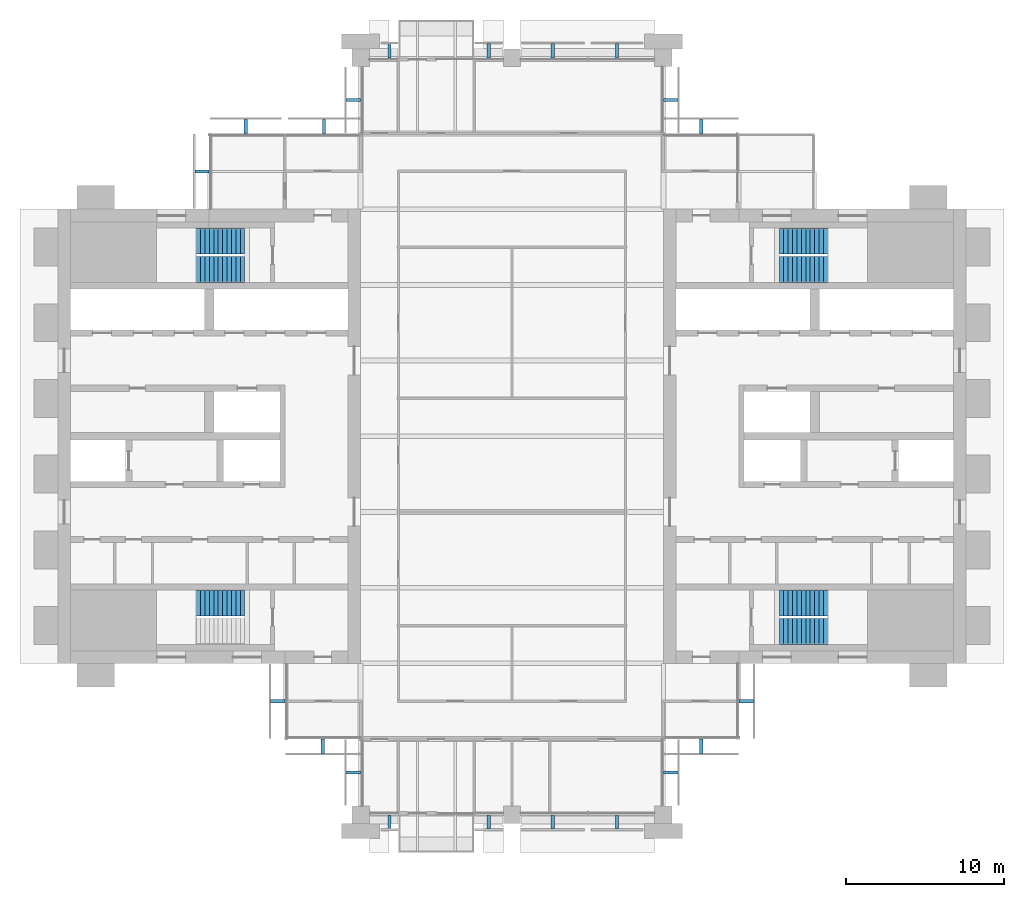
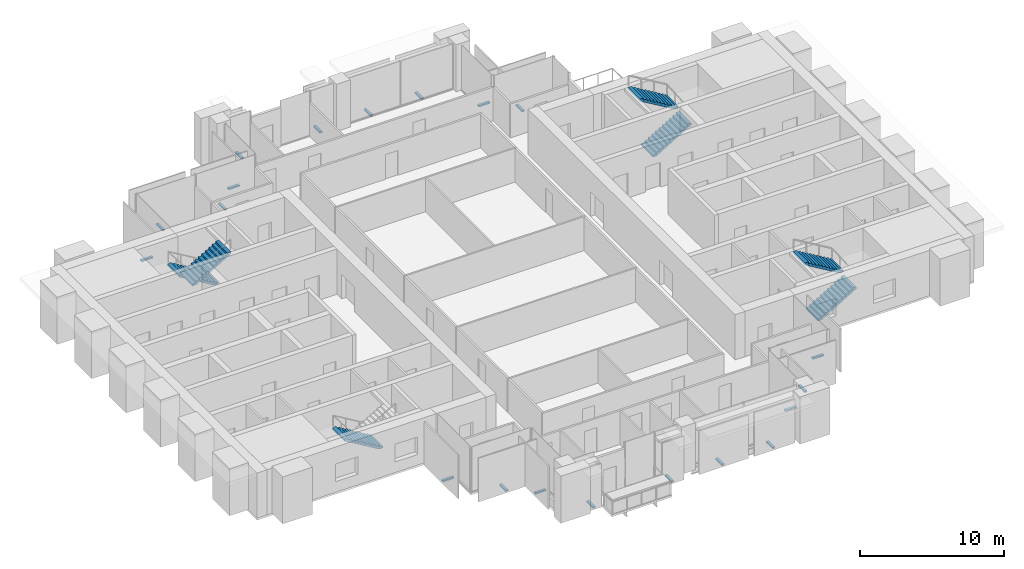
# One storey, part 12 of 14: 20 discrete accessories, 7 stair flights, 4 elements without a shape of their own.
"""IFC4 building model written with IfcOpenShell, lengths in metres."""

import ifcopenshell
import ifcopenshell.guid

model = None  # the IFC model being written
_history = None  # IfcOwnerHistory: only IFC2X3 demands one
_inside = {}  # id of a spatial element -> (the spatial element, [elements in it])
_under = {}  # id of a project, library or spatial element -> (it, [spatial elements below it])
_declared = {}  # id of a project -> (the project, [libraries it declares])
_typed = {}  # id of a type object -> (the type object, [elements of that type])
_made_of = {}  # id of a material, layer set ... -> (it, [elements and type objects made of it])


def new_model(schema):
    """Start an empty IFC model of exactly this schema.

    Asked for "IFC4X3", IfcOpenShell would pick the latest addendum, in which some entities
    have other attributes; the version numbers below select the first issue.
    IFC2X3 requires an IfcOwnerHistory on every rooted entity: one is made here for all.
    """
    global model, _history
    if schema == "IFC4X3":
        model = ifcopenshell.file(schema_version=(4, 3, 0, 0))
    else:
        model = ifcopenshell.file(schema=schema)
    _inside.clear()
    _under.clear()
    _declared.clear()
    _typed.clear()
    _made_of.clear()
    _history = None
    if model.schema == "IFC2X3":
        org = make("IfcOrganization", Name="unknown")
        user = make(
            "IfcPersonAndOrganization",
            ThePerson=make("IfcPerson", FamilyName="unknown"),
            TheOrganization=org,
        )
        app = make(
            "IfcApplication",
            ApplicationDeveloper=org,
            Version="unknown",
            ApplicationFullName="unknown",
            ApplicationIdentifier="unknown",
        )
        _history = make(
            "IfcOwnerHistory",
            OwningUser=user,
            OwningApplication=app,
            ChangeAction="ADDED",
            CreationDate=0,
        )
    return model


def make(cls, **values):
    """One entity of the class cls with the attributes given. An attribute that is None is left unset."""
    return model.create_entity(
        cls, **{name: value for name, value in values.items() if value is not None}
    )


def rooted(cls, **values):
    """An entity with a GlobalId (a new one), such as an element, a storey or a relation."""
    return make(cls, GlobalId=ifcopenshell.guid.new(), OwnerHistory=_history, **values)


def si_unit(unit_type, name, prefix=None):
    """IfcSIUnit, for example si_unit("LENGTHUNIT", "METRE", prefix="MILLI")."""
    return make("IfcSIUnit", UnitType=unit_type, Prefix=prefix, Name=name)


def assignment(units):
    """IfcUnitAssignment: the units of a project."""
    return None if units is None else make("IfcUnitAssignment", Units=units)


def point(xyz):
    """IfcCartesianPoint."""
    return None if xyz is None else make("IfcCartesianPoint", Coordinates=xyz)


def direction(xyz):
    """IfcDirection."""
    return None if xyz is None else make("IfcDirection", DirectionRatios=xyz)


def frame(location, z_axis=None, x_axis=None):
    """IfcAxis2Placement3D, a coordinate frame: its origin and axes. An axis left out is left unset."""
    return make(
        "IfcAxis2Placement3D",
        Location=point(location),
        Axis=direction(z_axis),
        RefDirection=direction(x_axis),
    )


def frame_2d(location, x_axis=None):
    """IfcAxis2Placement2D, a coordinate frame in the plane: its origin and x axis."""
    return make(
        "IfcAxis2Placement2D", Location=point(location), RefDirection=direction(x_axis)
    )


def origin():
    """The frame at (0, 0, 0) with its axes left unset."""
    return frame((0.0, 0.0, 0.0))


def origin_2d():
    """The frame at (0, 0) in the plane with its x axis left unset."""
    return frame_2d((0.0, 0.0))


def place(relative_to, where):
    """IfcLocalPlacement: puts the frame where relative to a parent placement (None: the world)."""
    return make(
        "IfcLocalPlacement", PlacementRelTo=relative_to, RelativePlacement=where
    )


def context(
    kind, dimensions, precision=None, world=None, true_north=None, identifier=None
):
    """IfcGeometricRepresentationContext, for example the 3D "Model" context."""
    return make(
        "IfcGeometricRepresentationContext",
        ContextIdentifier=identifier,
        ContextType=kind,
        CoordinateSpaceDimension=dimensions,
        Precision=precision,
        WorldCoordinateSystem=world,
        TrueNorth=true_north,
    )


def subcontext(parent, identifier, kind, view, scale=None):
    """IfcGeometricRepresentationSubContext, for example "Body" below "Model"."""
    return make(
        "IfcGeometricRepresentationSubContext",
        ContextIdentifier=identifier,
        ContextType=kind,
        ParentContext=parent,
        TargetScale=scale,
        TargetView=view,
    )


def project(units=None, contexts=None):
    """IfcProject with its units and contexts."""
    return rooted(
        "IfcProject",
        Name="project",
        RepresentationContexts=contexts,
        UnitsInContext=assignment(units),
    )


def spatial(cls, under=None, at=None, **own):
    """A site, building, storey or space (cls), placed at a placement, below another one or the project."""
    s = rooted(cls, ObjectPlacement=at, **own)
    if under is not None:
        _under.setdefault(under.id(), (under, []))[1].append(s)
    return s


def polyline(points):
    """IfcPolyline through the points."""
    return make("IfcPolyline", Points=[point(p) for p in points])


def profile(cls, at=None, kind="AREA", **sizes):
    """A parametric profile (cls). Its sizes go by their IFC names, for example OverallWidth=200.0."""
    return make(cls, ProfileType=kind, Position=at, **sizes)


def rectangle(**sizes):
    """IfcRectangleProfileDef."""
    return profile("IfcRectangleProfileDef", **sizes)


def outline(outer, holes=None, kind="AREA"):
    """IfcArbitraryClosedProfileDef: a profile drawn as a closed curve; with holes, ...WithVoids."""
    if holes is None:
        return make("IfcArbitraryClosedProfileDef", ProfileType=kind, OuterCurve=outer)
    return make(
        "IfcArbitraryProfileDefWithVoids",
        ProfileType=kind,
        OuterCurve=outer,
        InnerCurves=holes,
    )


def extrude(swept, where, along, depth):
    """IfcExtrudedAreaSolid: the profile swept, set in the frame where, extruded along a direction by depth."""
    return make(
        "IfcExtrudedAreaSolid",
        SweptArea=swept,
        Position=where,
        ExtrudedDirection=direction(along),
        Depth=depth,
    )


def shape(context_of_items, identifier, shape_type, items):
    """IfcShapeRepresentation: the items that make up one representation, for example the "Body"."""
    return make(
        "IfcShapeRepresentation",
        ContextOfItems=context_of_items,
        RepresentationIdentifier=identifier,
        RepresentationType=shape_type,
        Items=items,
    )


def material(Name=None, Category=None):
    """IfcMaterial."""
    return make("IfcMaterial", Name=Name, Category=Category)


def made_of(thing, what):
    """Note that an element or type object is made of a material, layer set ...; save() writes the relation."""
    if what is not None:
        _made_of.setdefault(what.id(), (what, []))[1].append(thing)
    return thing


def type_object(cls, material=None, **own):
    """A type object (cls), such as IfcWallType, which elements share."""
    return made_of(rooted(cls, **own), material)


def element(
    cls,
    number,
    at=None,
    inside=None,
    cuts=None,
    type_object=None,
    material=None,
    context=None,
    identifier="Body",
    shape_type=None,
    held_by="IfcProductDefinitionShape",
    body=None,
    shapes=None,
    **own,
):
    """One element of the class cls, such as IfcWall. Its Tag is "e" and its number.

    at: its placement. inside: the storey or other place that contains it. cuts: it is an
    opening in that element (IfcRelVoidsElement). A single representation is given by context,
    identifier, shape_type and body (its items); several are given by shapes. held_by: the class
    of the entity that holds the representations. save() writes the other relations.
    """
    e = rooted(cls, Tag="e%d" % number, ObjectPlacement=at, **own)
    if body is not None:
        shapes = [shape(context, identifier, shape_type, body)]
    if shapes is not None:
        e.Representation = make(held_by, Representations=shapes)
    if inside is not None:
        _inside.setdefault(inside.id(), (inside, []))[1].append(e)
    if cuts is not None:
        rooted(
            "IfcRelVoidsElement", RelatingBuildingElement=cuts, RelatedOpeningElement=e
        )
    if type_object is not None:
        _typed.setdefault(type_object.id(), (type_object, []))[1].append(e)
    return made_of(e, material)


def aggregate(whole, parts):
    """IfcRelAggregates: a whole, such as a stair, and the parts it consists of."""
    return rooted("IfcRelAggregates", RelatingObject=whole, RelatedObjects=parts)


def save(model, path):
    """Write the relations noted so far, then the file.

    IfcRelAggregates (storeys below a building ...), IfcRelContainedInSpatialStructure (elements
    in a storey), IfcRelDefinesByType, IfcRelAssociatesMaterial and IfcRelDeclares: one each for
    every whole, place, type object, material and project.
    """
    for whole, parts in _under.values():
        aggregate(whole, parts)
    for where, things in _inside.values():
        rooted(
            "IfcRelContainedInSpatialStructure",
            RelatedElements=things,
            RelatingStructure=where,
        )
    for kind, things in _typed.values():
        rooted("IfcRelDefinesByType", RelatedObjects=things, RelatingType=kind)
    for what, things in _made_of.values():
        rooted("IfcRelAssociatesMaterial", RelatedObjects=things, RelatingMaterial=what)
    for by, libraries in _declared.values():
        rooted("IfcRelDeclares", RelatingContext=by, RelatedDefinitions=libraries)
    model.write(path)


model = new_model("IFC4")

# Units and contexts
model_context = context("Model", 3, precision=1e-05, world=origin(), true_north=direction((0.0, 1.0)))
body_context = subcontext(model_context, "Body", "Model", "MODEL_VIEW")
ifc_project = project(units=[si_unit("LENGTHUNIT", "METRE"), si_unit("AREAUNIT", "SQUARE_METRE"), si_unit("VOLUMEUNIT", "CUBIC_METRE"), si_unit("PLANEANGLEUNIT", "RADIAN"), si_unit("MASSUNIT", "GRAM", prefix="KILO")], contexts=[model_context])

# Site, building, storey
site_placement = place(None, origin())
site = spatial("IfcSite", under=ifc_project, at=site_placement, CompositionType="ELEMENT")
building_placement = place(site_placement, origin())
building = spatial("IfcBuilding", under=site, at=building_placement, Name="Baori Bourse Tower", CompositionType="ELEMENT")
storey_placement = place(building_placement, frame((0.0, 0.0, 257.199951171875)))
storey = spatial("IfcBuildingStorey", under=building, at=storey_placement, Name="L57", CompositionType="ELEMENT", Elevation=257.199951171875)

# Stair, stair flight
ifc_material_1 = material(Name="Concrete f'c 50 MPa", Category="concrete")
stair_type = type_object("IfcStairType", Name="Core stair", PredefinedType="HALF_TURN_STAIR", material=ifc_material_1)
stair_1_placement = place(storey_placement, origin())
stair_1 = element("IfcStair", 1, at=stair_1_placement, inside=storey, type_object=stair_type, Name="L57 Stair WA", PredefinedType="HALF_TURN_STAIR")
ifc_material_2 = material(Name="Concrete f'c 50 MPa", Category="concrete")
stair_flight_type = type_object("IfcStairFlightType", Name="Core stair flight", PredefinedType="STRAIGHT", material=ifc_material_2)
stair_flight_1_placement = place(storey_placement, frame((11.85009765625, 13.425048828125, 0.0), z_axis=(0.0, 0.0, 1.0), x_axis=(-1.0, 0.0, 0.0)))
stair_flight_1 = element("IfcStairFlight", 2, at=stair_flight_1_placement, type_object=stair_flight_type, Name="ST1 flight 1", NumberOfRisers=12, NumberOfTreads=11, PredefinedType="STRAIGHT", RiserHeight=0.166666667, TreadLength=0.28, context=body_context, shape_type="SweptSolid", body=[
    extrude(outline(polyline([(0.0, 0.0), (0.0, 0.166748046875), (0.280029296875, 0.166748046875), (0.280029296875, 0.333251953125), (0.56005859375, 0.333251953125), (0.56005859375, 0.5), (0.840087890625, 0.5), (0.840087890625, 0.666748046875), (1.1201171875, 0.666748046875), (1.1201171875, 0.833251953125), (1.39990234375, 0.833251953125), (1.39990234375, 1.0), (1.679931640625, 1.0), (1.679931640625, 1.166748046875), (1.9599609375, 1.166748046875), (1.9599609375, 1.333251953125), (2.239990234375, 1.333251953125), (2.239990234375, 1.5), (2.52001953125, 1.5), (2.52001953125, 1.666748046875), (2.800048828125, 1.666748046875), (2.800048828125, 1.833251953125), (3.080078125, 1.833251953125), (3.080078125, 2.0), (3.080078125, 1.658935546875), (0.29296875, 0.0), (0.0, 0.0)])), frame((0.0, 0.824951171875, 0.0), z_axis=(0.0, -1.0, 0.0), x_axis=(1.0, 0.0, 0.0)), (0.0, 0.0, 1.0), 1.64990234375),
])
aggregate(stair_1, [stair_flight_1])

# Stair, stair flights
stair_2_placement = place(storey_placement, origin())
stair_2 = element("IfcStair", 3, at=stair_2_placement, inside=storey, type_object=stair_type, Name="L57 Stair WB", PredefinedType="HALF_TURN_STAIR")
stair_flight_2_placement = place(storey_placement, frame((11.85009765625, 36.375, 0.0), z_axis=(0.0, 0.0, 1.0), x_axis=(-1.0, 0.0, 0.0)))
stair_flight_2 = element("IfcStairFlight", 4, at=stair_flight_2_placement, type_object=stair_flight_type, Name="ST2 flight 1", NumberOfRisers=12, NumberOfTreads=11, PredefinedType="STRAIGHT", RiserHeight=0.166666667, TreadLength=0.28, context=body_context, shape_type="SweptSolid", body=[
    extrude(outline(polyline([(0.0, 0.0), (0.0, 0.166748046875), (0.280029296875, 0.166748046875), (0.280029296875, 0.333251953125), (0.56005859375, 0.333251953125), (0.56005859375, 0.5), (0.840087890625, 0.5), (0.840087890625, 0.666748046875), (1.1201171875, 0.666748046875), (1.1201171875, 0.833251953125), (1.39990234375, 0.833251953125), (1.39990234375, 1.0), (1.679931640625, 1.0), (1.679931640625, 1.166748046875), (1.9599609375, 1.166748046875), (1.9599609375, 1.333251953125), (2.239990234375, 1.333251953125), (2.239990234375, 1.5), (2.52001953125, 1.5), (2.52001953125, 1.666748046875), (2.800048828125, 1.666748046875), (2.800048828125, 1.833251953125), (3.080078125, 1.833251953125), (3.080078125, 2.0), (3.080078125, 1.658935546875), (0.29296875, 0.0), (0.0, 0.0)])), frame((0.0, 0.824951171875, 0.0), z_axis=(0.0, -1.0, 0.0), x_axis=(1.0, 0.0, 0.0)), (0.0, 0.0, 1.0), 1.64990234375),
])
stair_flight_3_placement = place(storey_placement, frame((8.77001953125, 34.574951171875, 2.0), z_axis=(0.0, 0.0, 1.0), x_axis=(1.0, 0.0, 0.0)))
stair_flight_3 = element("IfcStairFlight", 5, at=stair_flight_3_placement, type_object=stair_flight_type, Name="ST2 flight 2", NumberOfRisers=12, NumberOfTreads=11, PredefinedType="STRAIGHT", RiserHeight=0.166666667, TreadLength=0.28, context=body_context, shape_type="SweptSolid", body=[
    extrude(outline(polyline([(0.0, 0.0), (0.0, 0.166748046875), (0.280029296875, 0.166748046875), (0.280029296875, 0.333251953125), (0.56005859375, 0.333251953125), (0.56005859375, 0.5), (0.840087890625, 0.5), (0.840087890625, 0.666748046875), (1.1201171875, 0.666748046875), (1.1201171875, 0.833251953125), (1.39990234375, 0.833251953125), (1.39990234375, 1.0), (1.679931640625, 1.0), (1.679931640625, 1.166748046875), (1.9599609375, 1.166748046875), (1.9599609375, 1.333251953125), (2.239990234375, 1.333251953125), (2.239990234375, 1.5), (2.52001953125, 1.5), (2.52001953125, 1.666748046875), (2.800048828125, 1.666748046875), (2.800048828125, 1.833251953125), (3.080078125, 1.833251953125), (3.080078125, 2.0), (3.080078125, 1.658935546875), (0.29296875, 0.0), (0.0, 0.0)])), frame((0.0, 0.824951171875, 0.0), z_axis=(0.0, -1.0, 0.0), x_axis=(1.0, 0.0, 0.0)), (0.0, 0.0, 1.0), 1.64990234375),
])
aggregate(stair_2, [stair_flight_2, stair_flight_3])

stair_3_placement = place(storey_placement, origin())
stair_3 = element("IfcStair", 6, at=stair_3_placement, inside=storey, type_object=stair_type, Name="L57 Stair EA", PredefinedType="HALF_TURN_STAIR")
stair_flight_4_placement = place(storey_placement, frame((45.75, 11.625, 0.0), z_axis=(0.0, 0.0, 1.0), x_axis=(1.0, 0.0, 0.0)))
stair_flight_4 = element("IfcStairFlight", 7, at=stair_flight_4_placement, type_object=stair_flight_type, Name="ST3 flight 1", NumberOfRisers=12, NumberOfTreads=11, PredefinedType="STRAIGHT", RiserHeight=0.166666667, TreadLength=0.28, context=body_context, shape_type="SweptSolid", body=[
    extrude(outline(polyline([(0.0, 0.0), (0.0, 0.166748046875), (0.280029296875, 0.166748046875), (0.280029296875, 0.333251953125), (0.56005859375, 0.333251953125), (0.56005859375, 0.5), (0.840087890625, 0.5), (0.840087890625, 0.666748046875), (1.1201171875, 0.666748046875), (1.1201171875, 0.833251953125), (1.39990234375, 0.833251953125), (1.39990234375, 1.0), (1.679931640625, 1.0), (1.679931640625, 1.166748046875), (1.9599609375, 1.166748046875), (1.9599609375, 1.333251953125), (2.239990234375, 1.333251953125), (2.239990234375, 1.5), (2.52001953125, 1.5), (2.52001953125, 1.666748046875), (2.800048828125, 1.666748046875), (2.800048828125, 1.833251953125), (3.080078125, 1.833251953125), (3.080078125, 2.0), (3.080078125, 1.658935546875), (0.29296875, 0.0), (0.0, 0.0)])), frame((0.0, 0.824951171875, 0.0), z_axis=(0.0, -1.0, 0.0), x_axis=(1.0, 0.0, 0.0)), (0.0, 0.0, 1.0), 1.64990234375),
])
stair_flight_5_placement = place(storey_placement, frame((48.830078125, 13.425048828125, 2.0), z_axis=(0.0, 0.0, 1.0), x_axis=(-1.0, 0.0, 0.0)))
stair_flight_5 = element("IfcStairFlight", 8, at=stair_flight_5_placement, type_object=stair_flight_type, Name="ST3 flight 2", NumberOfRisers=12, NumberOfTreads=11, PredefinedType="STRAIGHT", RiserHeight=0.166666667, TreadLength=0.28, context=body_context, shape_type="SweptSolid", body=[
    extrude(outline(polyline([(0.0, 0.0), (0.0, 0.166748046875), (0.280029296875, 0.166748046875), (0.280029296875, 0.333251953125), (0.56005859375, 0.333251953125), (0.56005859375, 0.5), (0.840087890625, 0.5), (0.840087890625, 0.666748046875), (1.1201171875, 0.666748046875), (1.1201171875, 0.833251953125), (1.39990234375, 0.833251953125), (1.39990234375, 1.0), (1.679931640625, 1.0), (1.679931640625, 1.166748046875), (1.9599609375, 1.166748046875), (1.9599609375, 1.333251953125), (2.239990234375, 1.333251953125), (2.239990234375, 1.5), (2.52001953125, 1.5), (2.52001953125, 1.666748046875), (2.800048828125, 1.666748046875), (2.800048828125, 1.833251953125), (3.080078125, 1.833251953125), (3.080078125, 2.0), (3.080078125, 1.658935546875), (0.29296875, 0.0), (0.0, 0.0)])), frame((0.0, 0.824951171875, 0.0), z_axis=(0.0, -1.0, 0.0), x_axis=(1.0, 0.0, 0.0)), (0.0, 0.0, 1.0), 1.64990234375),
])
aggregate(stair_3, [stair_flight_4, stair_flight_5])

stair_4_placement = place(storey_placement, origin())
stair_4 = element("IfcStair", 9, at=stair_4_placement, inside=storey, type_object=stair_type, Name="L57 Stair EB", PredefinedType="HALF_TURN_STAIR")
stair_flight_6_placement = place(storey_placement, frame((45.75, 34.574951171875, 0.0), z_axis=(0.0, 0.0, 1.0), x_axis=(1.0, 0.0, 0.0)))
stair_flight_6 = element("IfcStairFlight", 10, at=stair_flight_6_placement, type_object=stair_flight_type, Name="ST4 flight 1", NumberOfRisers=12, NumberOfTreads=11, PredefinedType="STRAIGHT", RiserHeight=0.166666667, TreadLength=0.28, context=body_context, shape_type="SweptSolid", body=[
    extrude(outline(polyline([(0.0, 0.0), (0.0, 0.166748046875), (0.280029296875, 0.166748046875), (0.280029296875, 0.333251953125), (0.56005859375, 0.333251953125), (0.56005859375, 0.5), (0.840087890625, 0.5), (0.840087890625, 0.666748046875), (1.1201171875, 0.666748046875), (1.1201171875, 0.833251953125), (1.39990234375, 0.833251953125), (1.39990234375, 1.0), (1.679931640625, 1.0), (1.679931640625, 1.166748046875), (1.9599609375, 1.166748046875), (1.9599609375, 1.333251953125), (2.239990234375, 1.333251953125), (2.239990234375, 1.5), (2.52001953125, 1.5), (2.52001953125, 1.666748046875), (2.800048828125, 1.666748046875), (2.800048828125, 1.833251953125), (3.080078125, 1.833251953125), (3.080078125, 2.0), (3.080078125, 1.658935546875), (0.29296875, 0.0), (0.0, 0.0)])), frame((0.0, 0.824951171875, 0.0), z_axis=(0.0, -1.0, 0.0), x_axis=(1.0, 0.0, 0.0)), (0.0, 0.0, 1.0), 1.64990234375),
])
stair_flight_7_placement = place(storey_placement, frame((48.830078125, 36.375, 2.0), z_axis=(0.0, 0.0, 1.0), x_axis=(-1.0, 0.0, 0.0)))
stair_flight_7 = element("IfcStairFlight", 11, at=stair_flight_7_placement, type_object=stair_flight_type, Name="ST4 flight 2", NumberOfRisers=12, NumberOfTreads=11, PredefinedType="STRAIGHT", RiserHeight=0.166666667, TreadLength=0.28, context=body_context, shape_type="SweptSolid", body=[
    extrude(outline(polyline([(0.0, 0.0), (0.0, 0.166748046875), (0.280029296875, 0.166748046875), (0.280029296875, 0.333251953125), (0.56005859375, 0.333251953125), (0.56005859375, 0.5), (0.840087890625, 0.5), (0.840087890625, 0.666748046875), (1.1201171875, 0.666748046875), (1.1201171875, 0.833251953125), (1.39990234375, 0.833251953125), (1.39990234375, 1.0), (1.679931640625, 1.0), (1.679931640625, 1.166748046875), (1.9599609375, 1.166748046875), (1.9599609375, 1.333251953125), (2.239990234375, 1.333251953125), (2.239990234375, 1.5), (2.52001953125, 1.5), (2.52001953125, 1.666748046875), (2.800048828125, 1.666748046875), (2.800048828125, 1.833251953125), (3.080078125, 1.833251953125), (3.080078125, 2.0), (3.080078125, 1.658935546875), (0.29296875, 0.0), (0.0, 0.0)])), frame((0.0, 0.824951171875, 0.0), z_axis=(0.0, -1.0, 0.0), x_axis=(1.0, 0.0, 0.0)), (0.0, 0.0, 1.0), 1.64990234375),
])
aggregate(stair_4, [stair_flight_6, stair_flight_7])

# Discrete accessories
ifc_material_3 = material(Name="Pale anodised aluminium", Category="aluminium")
discrete_accessory_type = type_object("IfcDiscreteAccessoryType", Name="OS2 Outer skin bracket", PredefinedType="BRACKET", material=ifc_material_3)
for number, where, z_axis, x_axis, name in (
    (12, (40.800048828125, 43.64990234375, -0.143798828125), (0.0, 0.0, 1.0), (-1.0, 0.0, 0.0), "Outer skin bracket L57 1"),
    (13, (38.85009765625, 45.324951171875, -0.143798828125), (0.0, 0.0, 1.0), (0.0, 1.0, 0.0), "Outer skin bracket L57 2"),
    (14, (35.46240234375, 48.449951171875, -0.143798828125), (0.0, 0.0, 1.0), (-1.0, 0.0, 0.0), "Outer skin bracket L57 3"),
    (15, (31.387451171875, 48.449951171875, -0.143798828125), (0.0, 0.0, 1.0), (-1.0, 0.0, 0.0), "Outer skin bracket L57 4"),
    (16, (27.324951171875, 48.449951171875, -0.143798828125), (0.0, 0.0, 1.0), (-1.0, 0.0, 0.0), "Outer skin bracket L57 5"),
    (17, (21.02490234375, 48.449951171875, -0.143798828125), (0.0, 0.0, 1.0), (-1.0, 0.0, 0.0), "Outer skin bracket L57 6"),
    (18, (18.75, 45.324951171875, -0.143798828125), (0.0, 0.0, 1.0), (0.0, -1.0, 0.0), "Outer skin bracket L57 7"),
    (19, (16.887451171875, 43.64990234375, -0.143798828125), (0.0, 0.0, 1.0), (-1.0, 0.0, 0.0), "Outer skin bracket L57 8"),
    (20, (11.91259765625, 43.64990234375, -0.143798828125), (0.0, 0.0, 1.0), (-1.0, 0.0, 0.0), "Outer skin bracket L57 9"),
    (21, (9.14990234375, 40.800048828125, -0.143798828125), (0.0, 0.0, 1.0), (0.0, -1.0, 0.0), "Outer skin bracket L57 10"),
    (22, (13.949951171875, 7.199951171875, -0.143798828125), (0.0, 0.0, 1.0), (0.0, -1.0, 0.0), "Outer skin bracket L57 11"),
    (23, (16.800048828125, 4.35009765625, -0.143798828125), (0.0, 0.0, 1.0), (1.0, 0.0, 0.0), "Outer skin bracket L57 12"),
    (24, (18.75, 2.675048828125, -0.143798828125), (0.0, 0.0, 1.0), (0.0, -1.0, 0.0), "Outer skin bracket L57 13"),
    (25, (21.02490234375, -0.449951171875, -0.143798828125), (0.0, 0.0, 1.0), (1.0, 0.0, 0.0), "Outer skin bracket L57 14"),
    (26, (27.324951171875, -0.449951171875, -0.143798828125), (0.0, 0.0, 1.0), (1.0, 0.0, 0.0), "Outer skin bracket L57 15"),
    (27, (31.387451171875, -0.449951171875, -0.143798828125), (0.0, 0.0, 1.0), (1.0, 0.0, 0.0), "Outer skin bracket L57 16"),
    (28, (35.46240234375, -0.449951171875, -0.143798828125), (0.0, 0.0, 1.0), (1.0, 0.0, 0.0), "Outer skin bracket L57 17"),
    (29, (38.85009765625, 2.675048828125, -0.143798828125), (0.0, 0.0, 1.0), (0.0, 1.0, 0.0), "Outer skin bracket L57 18"),
    (30, (40.800048828125, 4.35009765625, -0.143798828125), (0.0, 0.0, 1.0), (1.0, 0.0, 0.0), "Outer skin bracket L57 19"),
    (31, (43.64990234375, 7.199951171875, -0.143798828125), (0.0, 0.0, 1.0), (0.0, 1.0, 0.0), "Outer skin bracket L57 20"),
):
    element("IfcDiscreteAccessory", number, at=place(storey_placement, frame(where, z_axis=z_axis, x_axis=x_axis)), inside=storey, type_object=discrete_accessory_type, Name=name, PredefinedType="BRACKET", context=body_context, shape_type="SweptSolid", body=[
        extrude(rectangle(XDim=0.199951171875, YDim=0.89990234375, at=origin_2d()), origin(), (0.0, 0.0, 1.0), 0.1279296875),
    ])

save(model, "model.ifc")
